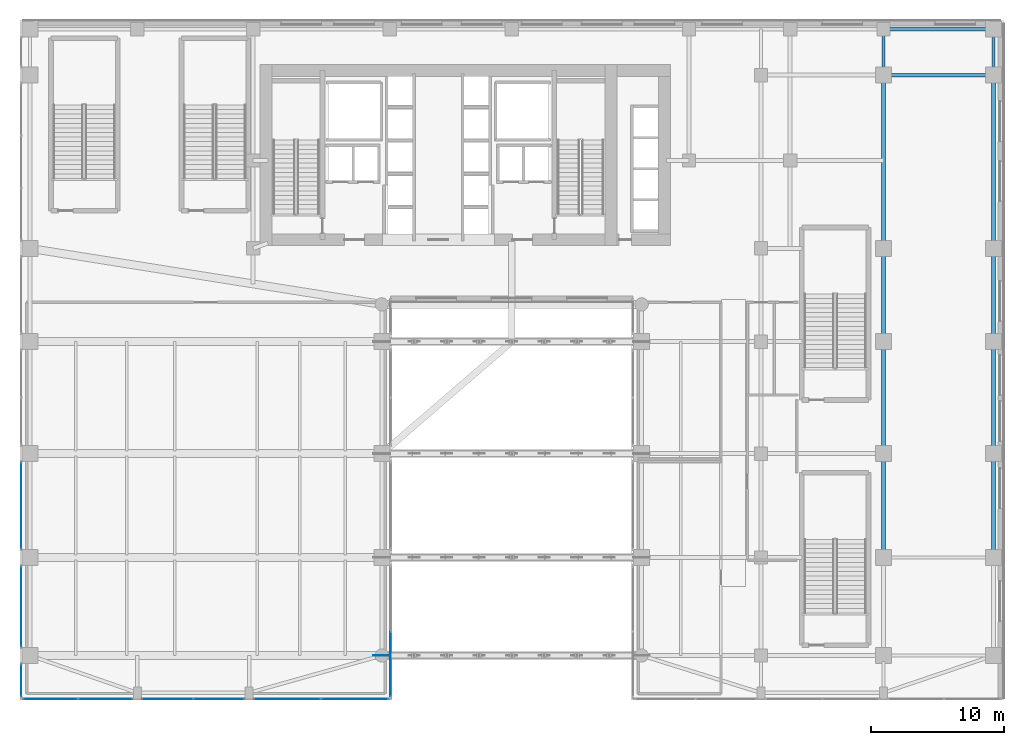
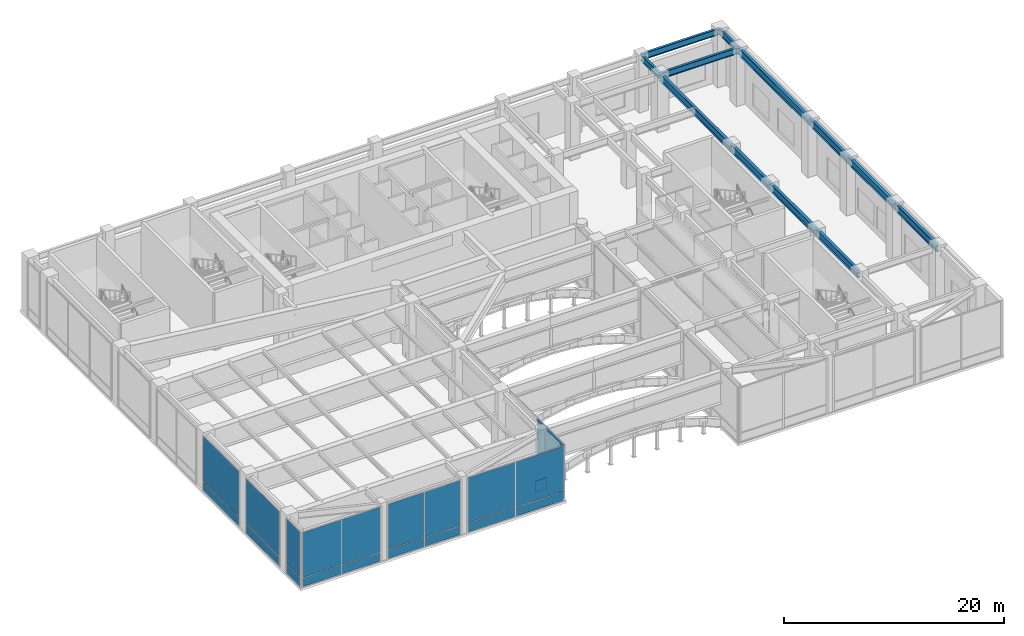
# One storey, part 35 of 50: 21 plates, 12 beams, 7 elements without a shape of their own.
"""IFC4 building model written with IfcOpenShell, lengths in metres."""

from ifc_helpers import new_model, si_unit, direction, frame, origin, origin_2d, place, context, subcontext, project, spatial, rectangle, i_section, extrude, source, transform, mapped, material, layer, layer_set, material_profile, profile_set, type_object, type_shapes, element, aggregate, save


model = new_model("IFC4")

# Units and contexts
model_context = context("Model", 3, precision=1e-05, world=origin(), true_north=direction((0.0, 1.0)))
body_context = subcontext(model_context, "Body", "Model", "MODEL_VIEW")
ifc_project = project(units=[si_unit("LENGTHUNIT", "METRE"), si_unit("AREAUNIT", "SQUARE_METRE"), si_unit("VOLUMEUNIT", "CUBIC_METRE"), si_unit("PLANEANGLEUNIT", "RADIAN"), si_unit("MASSUNIT", "GRAM", prefix="KILO")], contexts=[model_context])

# Site, building, storey
site_placement = place(None, origin())
site = spatial("IfcSite", under=ifc_project, at=site_placement, CompositionType="ELEMENT")
building_placement = place(site_placement, origin())
building = spatial("IfcBuilding", under=site, at=building_placement, Name="Tolvann Quenvar Hotel", CompositionType="ELEMENT")
storey_placement = place(building_placement, frame((0.0, 0.0, 16.0)))
storey = spatial("IfcBuildingStorey", under=building, at=storey_placement, Name="L03", CompositionType="ELEMENT", Elevation=16.0)

# Beams
ifc_material_1 = material(Name="Steel Grade 350", Category="steel")
ifc_material_profile_1 = material_profile(ifc_material_1, i_section(OverallWidth=0.300048828125, OverallDepth=0.81591796875, WebThickness=0.010009765625, FlangeThickness=0.028076171875, at=origin_2d()), Name="800WB192")
ifc_profile_set_1 = profile_set([ifc_material_profile_1], Name="Steel Grade 350")
beam_type_1 = type_object("IfcBeamType", Name="BM_GIRD_800WB192", PredefinedType="BEAM", material=ifc_profile_set_1)
shared_shape_1 = source(origin(), body_context, "Body", "SweptSolid", [
    extrude(i_section(OverallWidth=0.300048828125, OverallDepth=0.81591796875, WebThickness=0.010009765625, FlangeThickness=0.028076171875, at=origin_2d()), origin(), (0.0, 0.0, 1.0), 7.800048828125),
])
for number, where, z_axis, x_axis, name in (
    (1, (56.39990234375, 8.199951171875, 5.73193359375), (0.0, 1.0, 0.0), (-1.0, 0.0, 0.0), "BM-L03-NS-J-1"),
    (2, (64.64990234375, 8.199951171875, 5.73193359375), (0.0, 1.0, 0.0), (-1.0, 0.0, 0.0), "BM-L03-NS-K-1"),
):
    element("IfcBeam", number, at=place(storey_placement, frame(where, z_axis=z_axis, x_axis=x_axis)), inside=storey, type_object=beam_type_1, Name=name, PredefinedType="BEAM", context=body_context, shape_type="MappedRepresentation", body=[
        mapped(shared_shape_1, transform((0.0, 0.0, 0.0), x_axis=(1.0, 0.0, 0.0), y_axis=(0.0, 1.0, 0.0), z_axis=(0.0, 0.0, 1.0), scale=1.0)),
    ])
shared_shape_2 = source(origin(), body_context, "Body", "SweptSolid", [
    extrude(i_section(OverallWidth=0.300048828125, OverallDepth=0.81591796875, WebThickness=0.010009765625, FlangeThickness=0.028076171875, at=origin_2d()), origin(), (0.0, 0.0, 1.0), 8.39990234375),
])
for number, where, z_axis, x_axis, name in (
    (3, (56.39990234375, 16.0, 5.73193359375), (0.0, 1.0, 0.0), (-1.0, 0.0, 0.0), "BM-L03-NS-J-2"),
    (4, (64.64990234375, 16.0, 5.73193359375), (0.0, 1.0, 0.0), (-1.0, 0.0, 0.0), "BM-L03-NS-K-2"),
):
    element("IfcBeam", number, at=place(storey_placement, frame(where, z_axis=z_axis, x_axis=x_axis)), inside=storey, type_object=beam_type_1, Name=name, PredefinedType="BEAM", context=body_context, shape_type="MappedRepresentation", body=[
        mapped(shared_shape_2, transform((0.0, 0.0, 0.0), x_axis=(1.0, 0.0, 0.0), y_axis=(0.0, 1.0, 0.0), z_axis=(0.0, 0.0, 1.0), scale=1.0)),
    ])
ifc_material_profile_2 = material_profile(ifc_material_1, i_section(OverallWidth=0.25, OverallDepth=0.699951171875, WebThickness=0.010009765625, FlangeThickness=0.02392578125, at=origin_2d()), Name="700WB150")
ifc_profile_set_2 = profile_set([ifc_material_profile_2], Name="Steel Grade 350")
beam_type_2 = type_object("IfcBeamType", Name="BM_GIRD_700WB150", PredefinedType="BEAM", material=ifc_profile_set_2)
shared_shape_3 = source(origin(), body_context, "Body", "SweptSolid", [
    extrude(i_section(OverallWidth=0.25, OverallDepth=0.699951171875, WebThickness=0.010009765625, FlangeThickness=0.02392578125, at=origin_2d()), origin(), (0.0, 0.0, 1.0), 8.25),
])
for number, where, z_axis, x_axis, name in (
    (5, (56.39990234375, 44.39990234375, 5.7900390625), (1.0, 0.0, 0.0), (0.0, 1.0, 0.0), "BM-L03-GE3-6"),
    (6, (56.39990234375, 47.85009765625, 5.7900390625), (1.0, 0.0, 0.0), (0.0, 1.0, 0.0), "BM-L03-EWN-7"),
):
    element("IfcBeam", number, at=place(storey_placement, frame(where, z_axis=z_axis, x_axis=x_axis)), inside=storey, type_object=beam_type_2, Name=name, PredefinedType="BEAM", context=body_context, shape_type="MappedRepresentation", body=[
        mapped(shared_shape_3, transform((0.0, 0.0, 0.0), x_axis=(1.0, 0.0, 0.0), y_axis=(0.0, 1.0, 0.0), z_axis=(0.0, 0.0, 1.0), scale=1.0)),
    ])
shared_shape_4 = source(origin(), body_context, "Body", "SweptSolid", [
    extrude(i_section(OverallWidth=0.300048828125, OverallDepth=0.81591796875, WebThickness=0.010009765625, FlangeThickness=0.028076171875, at=origin_2d()), origin(), (0.0, 0.0, 1.0), 7.0),
])
for number, where, z_axis, x_axis, name in (
    (7, (56.39990234375, 24.39990234375, 5.73193359375), (0.0, 1.0, 0.0), (-1.0, 0.0, 0.0), "BM-L03-NS-J-3"),
    (8, (64.64990234375, 24.39990234375, 5.73193359375), (0.0, 1.0, 0.0), (-1.0, 0.0, 0.0), "BM-L03-NS-K-3"),
):
    element("IfcBeam", number, at=place(storey_placement, frame(where, z_axis=z_axis, x_axis=x_axis)), inside=storey, type_object=beam_type_1, Name=name, PredefinedType="BEAM", context=body_context, shape_type="MappedRepresentation", body=[
        mapped(shared_shape_4, transform((0.0, 0.0, 0.0), x_axis=(1.0, 0.0, 0.0), y_axis=(0.0, 1.0, 0.0), z_axis=(0.0, 0.0, 1.0), scale=1.0)),
    ])
shared_shape_5 = source(origin(), body_context, "Body", "SweptSolid", [
    extrude(i_section(OverallWidth=0.300048828125, OverallDepth=0.81591796875, WebThickness=0.010009765625, FlangeThickness=0.028076171875, at=origin_2d()), origin(), (0.0, 0.0, 1.0), 13.0),
])
type_shapes(beam_type_1, [shared_shape_1, shared_shape_2, shared_shape_4, shared_shape_5])
for number, where, z_axis, x_axis, name in (
    (9, (56.39990234375, 31.39990234375, 5.73193359375), (0.0, 1.0, 0.0), (-1.0, 0.0, 0.0), "BM-L03-NS-J-4"),
    (10, (64.64990234375, 31.39990234375, 5.73193359375), (0.0, 1.0, 0.0), (-1.0, 0.0, 0.0), "BM-L03-NS-K-4"),
):
    element("IfcBeam", number, at=place(storey_placement, frame(where, z_axis=z_axis, x_axis=x_axis)), inside=storey, type_object=beam_type_1, Name=name, PredefinedType="BEAM", context=body_context, shape_type="MappedRepresentation", body=[
        mapped(shared_shape_5, transform((0.0, 0.0, 0.0), x_axis=(1.0, 0.0, 0.0), y_axis=(0.0, 1.0, 0.0), z_axis=(0.0, 0.0, 1.0), scale=1.0)),
    ])
shared_shape_6 = source(origin(), body_context, "Body", "SweptSolid", [
    extrude(i_section(OverallWidth=0.25, OverallDepth=0.699951171875, WebThickness=0.010009765625, FlangeThickness=0.02392578125, at=origin_2d()), origin(), (0.0, 0.0, 1.0), 3.4501953125),
])
type_shapes(beam_type_2, [shared_shape_3, shared_shape_6])
for number, where, z_axis, x_axis, name in (
    (11, (56.39990234375, 44.39990234375, 5.7900390625), (0.0, 1.0, 0.0), (-1.0, 0.0, 0.0), "BM-L03-NSN-J"),
    (12, (64.64990234375, 44.39990234375, 5.7900390625), (0.0, 1.0, 0.0), (-1.0, 0.0, 0.0), "BM-L03-NSN-K"),
):
    element("IfcBeam", number, at=place(storey_placement, frame(where, z_axis=z_axis, x_axis=x_axis)), inside=storey, type_object=beam_type_2, Name=name, PredefinedType="BEAM", context=body_context, shape_type="MappedRepresentation", body=[
        mapped(shared_shape_6, transform((0.0, 0.0, 0.0), x_axis=(1.0, 0.0, 0.0), y_axis=(0.0, 1.0, 0.0), z_axis=(0.0, 0.0, 1.0), scale=1.0)),
    ])

# Plate
ifc_layer_1 = layer(ifc_material_1, 0.06005859375)
ifc_layer_set_1 = layer_set([ifc_layer_1], Name="Steel Grade 350")
plate_type_1 = type_object("IfcPlateType", Name="PLT_SPRINGER_60", PredefinedType="USERDEFINED", material=ifc_layer_set_1)
shared_shape_7 = source(origin(), body_context, "Body", "SweptSolid", [
    extrude(rectangle(XDim=1.25, YDim=0.06005859375, at=origin_2d()), origin(), (0.0, 0.0, 1.0), 1.25),
])
type_shapes(plate_type_1, [shared_shape_7])
plate_1_placement = place(storey_placement, frame((18.75, 0.85009765625, -0.625), z_axis=(0.0, 0.0, 1.0), x_axis=(1.0, 0.0, 0.0)))
element("IfcPlate", 13, at=plate_1_placement, inside=storey, type_object=plate_type_1, Name="Arch Rib Node Gusset Plate (F1-1)", ObjectType="GUSSET PLATE", PredefinedType="USERDEFINED", context=body_context, shape_type="MappedRepresentation", body=[
    mapped(shared_shape_7, transform((0.0, 0.0, 0.0), x_axis=(1.0, 0.0, 0.0), y_axis=(0.0, 1.0, 0.0), z_axis=(0.0, 0.0, 1.0), scale=1.0)),
])

# Curtain wall, plate
ifc_material_2 = material(Name="Thermally broken anodised architectural aluminium 6063-T6 and laminated low-E glass", Category="aluminium")
ifc_layer_2 = layer(ifc_material_2, 0.179931640625)
ifc_layer_set_2 = layer_set([ifc_layer_2], Name="Thermally broken anodised architectural aluminium 6063-T6 and laminated low-E glass")
curtain_wall_type_1 = type_object("IfcCurtainWallType", Name="CW_SYS_BALL_02", PredefinedType="USERDEFINED", material=ifc_layer_set_2)
curtain_wall_1_placement = place(storey_placement, origin())
curtain_wall_1 = element("IfcCurtainWall", 14, at=curtain_wall_1_placement, inside=storey, type_object=curtain_wall_type_1, Name="Curtain Wall CW-BALL-02 (CWR-L03-E07-S7)", ObjectType="UNITISED CURTAIN WALL", PredefinedType="USERDEFINED")
ifc_material_3 = material(Name="Low-iron laminated double glazing with solar-control coating", Category="glass")
ifc_layer_3 = layer(ifc_material_3, 0.028076171875)
ifc_layer_set_3 = layer_set([ifc_layer_3], Name="Low-iron laminated double glazing with solar-control coating")
plate_type_2 = type_object("IfcPlateType", Name="CW_PAN_VISION_28", PredefinedType="CURTAIN_PANEL", material=ifc_layer_set_3)
shared_shape_8 = source(origin(), body_context, "Body", "SweptSolid", [
    extrude(rectangle(XDim=2.39599609375, YDim=0.028076171875, at=origin_2d()), origin(), (0.0, 0.0, 1.0), 0.9599609375),
])
plate_2_placement = place(storey_placement, frame((-8.31005859375, -1.02197265625, 0.06005859375), z_axis=(0.0, 0.0, 1.0), x_axis=(0.0, -1.0, 0.0)))
plate_2 = element("IfcPlate", 15, at=plate_2_placement, type_object=plate_type_2, Name="CW-BALL-02 panel 1.1", PredefinedType="CURTAIN_PANEL", context=body_context, shape_type="MappedRepresentation", body=[
    mapped(shared_shape_8, transform((0.0, 0.0, 0.0), x_axis=(1.0, 0.0, 0.0), y_axis=(0.0, 1.0, 0.0), z_axis=(0.0, 0.0, 1.0), scale=1.0)),
])

# Curtain wall, plates
curtain_wall_2_placement = place(storey_placement, origin())
curtain_wall_2 = element("IfcCurtainWall", 16, at=curtain_wall_2_placement, inside=storey, type_object=curtain_wall_type_1, Name="Curtain Wall CW-BALL-02 (CWR-L03-E08-S1)", ObjectType="UNITISED CURTAIN WALL", PredefinedType="USERDEFINED")
shared_shape_9 = source(origin(), body_context, "Body", "SweptSolid", [
    extrude(rectangle(XDim=4.0380859375, YDim=0.028076171875, at=origin_2d()), origin(), (0.0, 0.0, 1.0), 0.9599609375),
])
plate_3_placement = place(storey_placement, frame((-6.10107421875, -2.409912109375, 0.06005859375), z_axis=(0.0, 0.0, 1.0), x_axis=(1.0, 0.0, 0.0)))
plate_3 = element("IfcPlate", 17, at=plate_3_placement, type_object=plate_type_2, Name="CW-BALL-02 panel 1.1", PredefinedType="CURTAIN_PANEL", context=body_context, shape_type="MappedRepresentation", body=[
    mapped(shared_shape_9, transform((0.0, 0.0, 0.0), x_axis=(1.0, 0.0, 0.0), y_axis=(0.0, 1.0, 0.0), z_axis=(0.0, 0.0, 1.0), scale=1.0)),
])
plate_4_placement = place(storey_placement, frame((-1.992919921875, -2.409912109375, 0.06005859375), z_axis=(0.0, 0.0, 1.0), x_axis=(1.0, 0.0, 0.0)))
plate_4 = element("IfcPlate", 18, at=plate_4_placement, type_object=plate_type_2, Name="CW-BALL-02 panel 2.1", PredefinedType="CURTAIN_PANEL", context=body_context, shape_type="MappedRepresentation", body=[
    mapped(shared_shape_9, transform((0.0, 0.0, 0.0), x_axis=(1.0, 0.0, 0.0), y_axis=(0.0, 1.0, 0.0), z_axis=(0.0, 0.0, 1.0), scale=1.0)),
])

curtain_wall_3_placement = place(storey_placement, origin())
curtain_wall_3 = element("IfcCurtainWall", 19, at=curtain_wall_3_placement, inside=storey, type_object=curtain_wall_type_1, Name="Curtain Wall CW-BALL-02 (CWR-L03-E08-S2)", ObjectType="UNITISED CURTAIN WALL", PredefinedType="USERDEFINED")
shared_shape_10 = source(origin(), body_context, "Body", "SweptSolid", [
    extrude(rectangle(XDim=3.791015625, YDim=0.028076171875, at=origin_2d()), origin(), (0.0, 0.0, 1.0), 0.9599609375),
])
plate_5_placement = place(storey_placement, frame((2.66943359375, -2.409912109375, 0.06005859375), z_axis=(0.0, 0.0, 1.0), x_axis=(1.0, 0.0, 0.0)))
plate_5 = element("IfcPlate", 20, at=plate_5_placement, type_object=plate_type_2, Name="CW-BALL-02 panel 1.1", PredefinedType="CURTAIN_PANEL", context=body_context, shape_type="MappedRepresentation", body=[
    mapped(shared_shape_10, transform((0.0, 0.0, 0.0), x_axis=(1.0, 0.0, 0.0), y_axis=(0.0, 1.0, 0.0), z_axis=(0.0, 0.0, 1.0), scale=1.0)),
])
plate_6_placement = place(storey_placement, frame((6.530517578125, -2.409912109375, 0.06005859375), z_axis=(0.0, 0.0, 1.0), x_axis=(1.0, 0.0, 0.0)))
plate_6 = element("IfcPlate", 21, at=plate_6_placement, type_object=plate_type_2, Name="CW-BALL-02 panel 2.1", PredefinedType="CURTAIN_PANEL", context=body_context, shape_type="MappedRepresentation", body=[
    mapped(shared_shape_10, transform((0.0, 0.0, 0.0), x_axis=(1.0, 0.0, 0.0), y_axis=(0.0, 1.0, 0.0), z_axis=(0.0, 0.0, 1.0), scale=1.0)),
])

curtain_wall_4_placement = place(storey_placement, origin())
curtain_wall_4 = element("IfcCurtainWall", 22, at=curtain_wall_4_placement, inside=storey, type_object=curtain_wall_type_1, Name="Curtain Wall CW-BALL-02 (CWR-L03-E08-S3)", ObjectType="UNITISED CURTAIN WALL", PredefinedType="USERDEFINED")
shared_shape_11 = source(origin(), body_context, "Body", "SweptSolid", [
    extrude(rectangle(XDim=4.988037109375, YDim=0.028076171875, at=origin_2d()), origin(), (0.0, 0.0, 1.0), 0.9599609375),
])
plate_7_placement = place(storey_placement, frame((11.66796875, -2.409912109375, 0.06005859375), z_axis=(0.0, 0.0, 1.0), x_axis=(1.0, 0.0, 0.0)))
plate_7 = element("IfcPlate", 23, at=plate_7_placement, type_object=plate_type_2, Name="CW-BALL-02 panel 1.1", PredefinedType="CURTAIN_PANEL", context=body_context, shape_type="MappedRepresentation", body=[
    mapped(shared_shape_11, transform((0.0, 0.0, 0.0), x_axis=(1.0, 0.0, 0.0), y_axis=(0.0, 1.0, 0.0), z_axis=(0.0, 0.0, 1.0), scale=1.0)),
])
plate_8_placement = place(storey_placement, frame((16.72607421875, -2.409912109375, 0.06005859375), z_axis=(0.0, 0.0, 1.0), x_axis=(1.0, 0.0, 0.0)))
plate_8 = element("IfcPlate", 24, at=plate_8_placement, type_object=plate_type_2, Name="CW-BALL-02 panel 2.1", PredefinedType="CURTAIN_PANEL", context=body_context, shape_type="MappedRepresentation", body=[
    mapped(shared_shape_11, transform((0.0, 0.0, 0.0), x_axis=(1.0, 0.0, 0.0), y_axis=(0.0, 1.0, 0.0), z_axis=(0.0, 0.0, 1.0), scale=1.0)),
])

ifc_layer_4 = layer(ifc_material_2, 0.179931640625)
ifc_layer_set_4 = layer_set([ifc_layer_4], Name="Thermally broken anodised architectural aluminium 6063-T6 and laminated low-E glass")
curtain_wall_type_2 = type_object("IfcCurtainWallType", Name="CW_SYS_ARCH_01", PredefinedType="USERDEFINED", material=ifc_layer_set_4)
curtain_wall_5_placement = place(storey_placement, origin())
curtain_wall_5 = element("IfcCurtainWall", 25, at=curtain_wall_5_placement, inside=storey, type_object=curtain_wall_type_2, Name="Curtain Wall CW-ARCH-01 (CWR-L03-E01-S1)", ObjectType="UNITISED CURTAIN WALL", PredefinedType="USERDEFINED")
shared_shape_12 = source(origin(), body_context, "Body", "SweptSolid", [
    extrude(rectangle(XDim=4.837890625, YDim=0.028076171875, at=origin_2d()), origin(), (0.0, 0.0, 1.0), 0.9599609375),
])
plate_9_placement = place(storey_placement, frame((19.409912109375, 0.198974609375, 0.06005859375), z_axis=(0.0, 0.0, 1.0), x_axis=(0.0, 1.0, 0.0)))
plate_9 = element("IfcPlate", 26, at=plate_9_placement, type_object=plate_type_2, Name="CW-ARCH-01 panel 1.1", PredefinedType="CURTAIN_PANEL", context=body_context, shape_type="MappedRepresentation", body=[
    mapped(shared_shape_12, transform((0.0, 0.0, 0.0), x_axis=(1.0, 0.0, 0.0), y_axis=(0.0, 1.0, 0.0), z_axis=(0.0, 0.0, 1.0), scale=1.0)),
])
shared_shape_13 = source(origin(), body_context, "Body", "SweptSolid", [
    extrude(rectangle(XDim=4.837890625, YDim=0.028076171875, at=origin_2d()), origin(), (0.0, 0.0, 1.0), 5.0),
])
plate_10_placement = place(storey_placement, frame((19.409912109375, 0.198974609375, 1.080078125), z_axis=(0.0, 0.0, 1.0), x_axis=(0.0, 1.0, 0.0)))
plate_10 = element("IfcPlate", 27, at=plate_10_placement, type_object=plate_type_2, Name="CW-ARCH-01 panel 1.2", PredefinedType="CURTAIN_PANEL", context=body_context, shape_type="MappedRepresentation", body=[
    mapped(shared_shape_13, transform((0.0, 0.0, 0.0), x_axis=(1.0, 0.0, 0.0), y_axis=(0.0, 1.0, 0.0), z_axis=(0.0, 0.0, 1.0), scale=1.0)),
])
aggregate(curtain_wall_5, [plate_9, plate_10])

curtain_wall_6_placement = place(storey_placement, origin())
curtain_wall_6 = element("IfcCurtainWall", 28, at=curtain_wall_6_placement, inside=storey, type_object=curtain_wall_type_1, Name="Curtain Wall CW-BALL-02 (CWR-L03-E07-S5)", ObjectType="UNITISED CURTAIN WALL", PredefinedType="USERDEFINED")
shared_shape_14 = source(origin(), body_context, "Body", "SweptSolid", [
    extrude(rectangle(XDim=6.451904296875, YDim=0.028076171875, at=origin_2d()), origin(), (0.0, 0.0, 1.0), 0.9599609375),
])
plate_11_placement = place(storey_placement, frame((-8.31005859375, 12.10009765625, 0.06005859375), z_axis=(0.0, 0.0, 1.0), x_axis=(0.0, -1.0, 0.0)))
plate_11 = element("IfcPlate", 29, at=plate_11_placement, type_object=plate_type_2, Name="CW-BALL-02 panel 1.1", PredefinedType="CURTAIN_PANEL", context=body_context, shape_type="MappedRepresentation", body=[
    mapped(shared_shape_14, transform((0.0, 0.0, 0.0), x_axis=(1.0, 0.0, 0.0), y_axis=(0.0, 1.0, 0.0), z_axis=(0.0, 0.0, 1.0), scale=1.0)),
])
shared_shape_15 = source(origin(), body_context, "Body", "SweptSolid", [
    extrude(rectangle(XDim=6.451904296875, YDim=0.028076171875, at=origin_2d()), origin(), (0.0, 0.0, 1.0), 5.0),
])
plate_12_placement = place(storey_placement, frame((-8.31005859375, 12.10009765625, 1.080078125), z_axis=(0.0, 0.0, 1.0), x_axis=(0.0, -1.0, 0.0)))
plate_12 = element("IfcPlate", 30, at=plate_12_placement, type_object=plate_type_2, Name="CW-BALL-02 panel 1.2", PredefinedType="CURTAIN_PANEL", context=body_context, shape_type="MappedRepresentation", body=[
    mapped(shared_shape_15, transform((0.0, 0.0, 0.0), x_axis=(1.0, 0.0, 0.0), y_axis=(0.0, 1.0, 0.0), z_axis=(0.0, 0.0, 1.0), scale=1.0)),
])
aggregate(curtain_wall_6, [plate_11, plate_12])

curtain_wall_7_placement = place(storey_placement, origin())
curtain_wall_7 = element("IfcCurtainWall", 31, at=curtain_wall_7_placement, inside=storey, type_object=curtain_wall_type_1, Name="Curtain Wall CW-BALL-02 (CWR-L03-E07-S6)", ObjectType="UNITISED CURTAIN WALL", PredefinedType="USERDEFINED")
shared_shape_16 = source(origin(), body_context, "Body", "SweptSolid", [
    extrude(rectangle(XDim=6.001953125, YDim=0.028076171875, at=origin_2d()), origin(), (0.0, 0.0, 1.0), 0.9599609375),
])
plate_13_placement = place(storey_placement, frame((-8.31005859375, 4.52490234375, 0.06005859375), z_axis=(0.0, 0.0, 1.0), x_axis=(0.0, -1.0, 0.0)))
plate_13 = element("IfcPlate", 32, at=plate_13_placement, type_object=plate_type_2, Name="CW-BALL-02 panel 1.1", PredefinedType="CURTAIN_PANEL", context=body_context, shape_type="MappedRepresentation", body=[
    mapped(shared_shape_16, transform((0.0, 0.0, 0.0), x_axis=(1.0, 0.0, 0.0), y_axis=(0.0, 1.0, 0.0), z_axis=(0.0, 0.0, 1.0), scale=1.0)),
])
shared_shape_17 = source(origin(), body_context, "Body", "SweptSolid", [
    extrude(rectangle(XDim=6.001953125, YDim=0.028076171875, at=origin_2d()), origin(), (0.0, 0.0, 1.0), 5.0),
])
plate_14_placement = place(storey_placement, frame((-8.31005859375, 4.52490234375, 1.080078125), z_axis=(0.0, 0.0, 1.0), x_axis=(0.0, -1.0, 0.0)))
plate_14 = element("IfcPlate", 33, at=plate_14_placement, type_object=plate_type_2, Name="CW-BALL-02 panel 1.2", PredefinedType="CURTAIN_PANEL", context=body_context, shape_type="MappedRepresentation", body=[
    mapped(shared_shape_17, transform((0.0, 0.0, 0.0), x_axis=(1.0, 0.0, 0.0), y_axis=(0.0, 1.0, 0.0), z_axis=(0.0, 0.0, 1.0), scale=1.0)),
])
aggregate(curtain_wall_7, [plate_13, plate_14])

# Plate
shared_shape_18 = source(origin(), body_context, "Body", "SweptSolid", [
    extrude(rectangle(XDim=2.39599609375, YDim=0.028076171875, at=origin_2d()), origin(), (0.0, 0.0, 1.0), 5.0),
])
plate_15_placement = place(storey_placement, frame((-8.31005859375, -1.02197265625, 1.080078125), z_axis=(0.0, 0.0, 1.0), x_axis=(0.0, -1.0, 0.0)))
plate_15 = element("IfcPlate", 34, at=plate_15_placement, type_object=plate_type_2, Name="CW-BALL-02 panel 1.2", PredefinedType="CURTAIN_PANEL", context=body_context, shape_type="MappedRepresentation", body=[
    mapped(shared_shape_18, transform((0.0, 0.0, 0.0), x_axis=(1.0, 0.0, 0.0), y_axis=(0.0, 1.0, 0.0), z_axis=(0.0, 0.0, 1.0), scale=1.0)),
])

aggregate(curtain_wall_1, [plate_2, plate_15])

shared_shape_19 = source(origin(), body_context, "Body", "SweptSolid", [
    extrude(rectangle(XDim=4.0380859375, YDim=0.028076171875, at=origin_2d()), origin(), (0.0, 0.0, 1.0), 5.0),
])
plate_16_placement = place(storey_placement, frame((-6.10107421875, -2.409912109375, 1.080078125), z_axis=(0.0, 0.0, 1.0), x_axis=(1.0, 0.0, 0.0)))
plate_16 = element("IfcPlate", 35, at=plate_16_placement, type_object=plate_type_2, Name="CW-BALL-02 panel 1.2", PredefinedType="CURTAIN_PANEL", context=body_context, shape_type="MappedRepresentation", body=[
    mapped(shared_shape_19, transform((0.0, 0.0, 0.0), x_axis=(1.0, 0.0, 0.0), y_axis=(0.0, 1.0, 0.0), z_axis=(0.0, 0.0, 1.0), scale=1.0)),
])

plate_17_placement = place(storey_placement, frame((-1.992919921875, -2.409912109375, 1.080078125), z_axis=(0.0, 0.0, 1.0), x_axis=(1.0, 0.0, 0.0)))
plate_17 = element("IfcPlate", 36, at=plate_17_placement, type_object=plate_type_2, Name="CW-BALL-02 panel 2.2", PredefinedType="CURTAIN_PANEL", context=body_context, shape_type="MappedRepresentation", body=[
    mapped(shared_shape_19, transform((0.0, 0.0, 0.0), x_axis=(1.0, 0.0, 0.0), y_axis=(0.0, 1.0, 0.0), z_axis=(0.0, 0.0, 1.0), scale=1.0)),
])

aggregate(curtain_wall_2, [plate_3, plate_16, plate_4, plate_17])

shared_shape_20 = source(origin(), body_context, "Body", "SweptSolid", [
    extrude(rectangle(XDim=3.791015625, YDim=0.028076171875, at=origin_2d()), origin(), (0.0, 0.0, 1.0), 5.0),
])
plate_18_placement = place(storey_placement, frame((2.66943359375, -2.409912109375, 1.080078125), z_axis=(0.0, 0.0, 1.0), x_axis=(1.0, 0.0, 0.0)))
plate_18 = element("IfcPlate", 37, at=plate_18_placement, type_object=plate_type_2, Name="CW-BALL-02 panel 1.2", PredefinedType="CURTAIN_PANEL", context=body_context, shape_type="MappedRepresentation", body=[
    mapped(shared_shape_20, transform((0.0, 0.0, 0.0), x_axis=(1.0, 0.0, 0.0), y_axis=(0.0, 1.0, 0.0), z_axis=(0.0, 0.0, 1.0), scale=1.0)),
])

plate_19_placement = place(storey_placement, frame((6.530517578125, -2.409912109375, 1.080078125), z_axis=(0.0, 0.0, 1.0), x_axis=(1.0, 0.0, 0.0)))
plate_19 = element("IfcPlate", 38, at=plate_19_placement, type_object=plate_type_2, Name="CW-BALL-02 panel 2.2", PredefinedType="CURTAIN_PANEL", context=body_context, shape_type="MappedRepresentation", body=[
    mapped(shared_shape_20, transform((0.0, 0.0, 0.0), x_axis=(1.0, 0.0, 0.0), y_axis=(0.0, 1.0, 0.0), z_axis=(0.0, 0.0, 1.0), scale=1.0)),
])

aggregate(curtain_wall_3, [plate_5, plate_18, plate_6, plate_19])

shared_shape_21 = source(origin(), body_context, "Body", "SweptSolid", [
    extrude(rectangle(XDim=4.988037109375, YDim=0.028076171875, at=origin_2d()), origin(), (0.0, 0.0, 1.0), 5.0),
])
type_shapes(plate_type_2, [shared_shape_8, shared_shape_9, shared_shape_10, shared_shape_11, shared_shape_12, shared_shape_13, shared_shape_14, shared_shape_15, shared_shape_16, shared_shape_17, shared_shape_18, shared_shape_19, shared_shape_20, shared_shape_21])
plate_20_placement = place(storey_placement, frame((11.66796875, -2.409912109375, 1.080078125), z_axis=(0.0, 0.0, 1.0), x_axis=(1.0, 0.0, 0.0)))
plate_20 = element("IfcPlate", 39, at=plate_20_placement, type_object=plate_type_2, Name="CW-BALL-02 panel 1.2", PredefinedType="CURTAIN_PANEL", context=body_context, shape_type="MappedRepresentation", body=[
    mapped(shared_shape_21, transform((0.0, 0.0, 0.0), x_axis=(1.0, 0.0, 0.0), y_axis=(0.0, 1.0, 0.0), z_axis=(0.0, 0.0, 1.0), scale=1.0)),
])

plate_21_placement = place(storey_placement, frame((16.72607421875, -2.409912109375, 1.080078125), z_axis=(0.0, 0.0, 1.0), x_axis=(1.0, 0.0, 0.0)))
plate_21 = element("IfcPlate", 40, at=plate_21_placement, type_object=plate_type_2, Name="CW-BALL-02 panel 2.2", PredefinedType="CURTAIN_PANEL", context=body_context, shape_type="MappedRepresentation", body=[
    mapped(shared_shape_21, transform((0.0, 0.0, 0.0), x_axis=(1.0, 0.0, 0.0), y_axis=(0.0, 1.0, 0.0), z_axis=(0.0, 0.0, 1.0), scale=1.0)),
])

aggregate(curtain_wall_4, [plate_7, plate_20, plate_8, plate_21])

save(model, "model.ifc")
